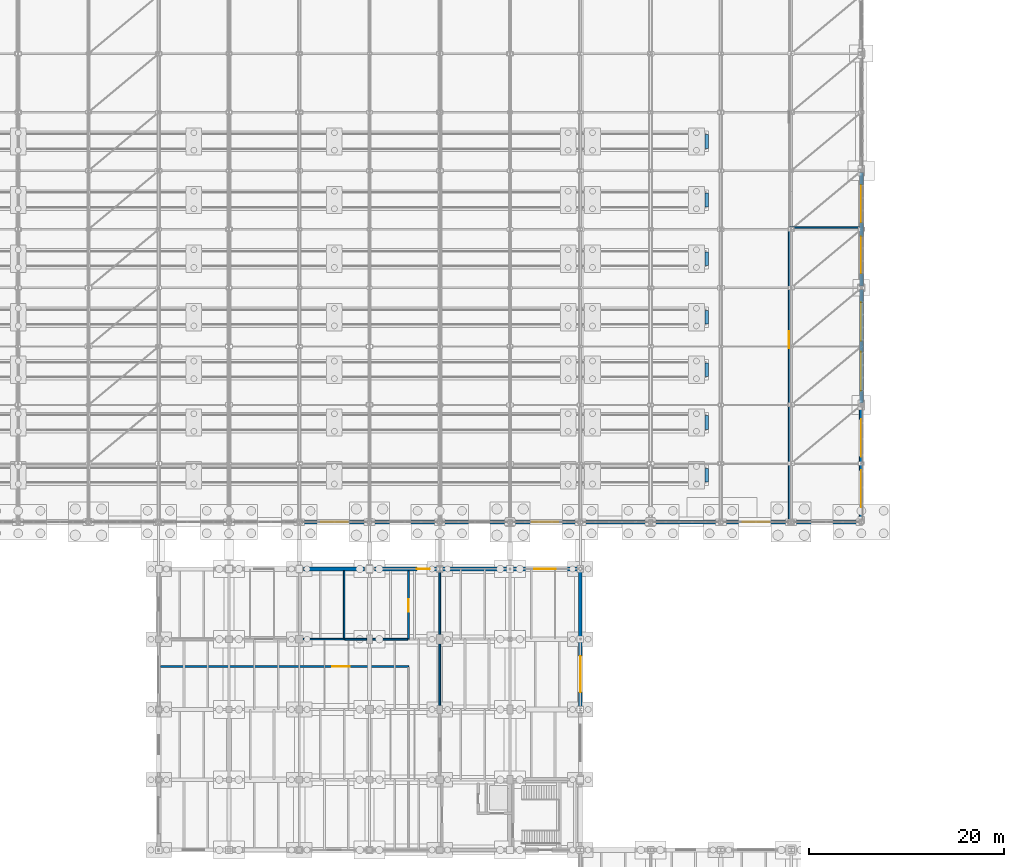
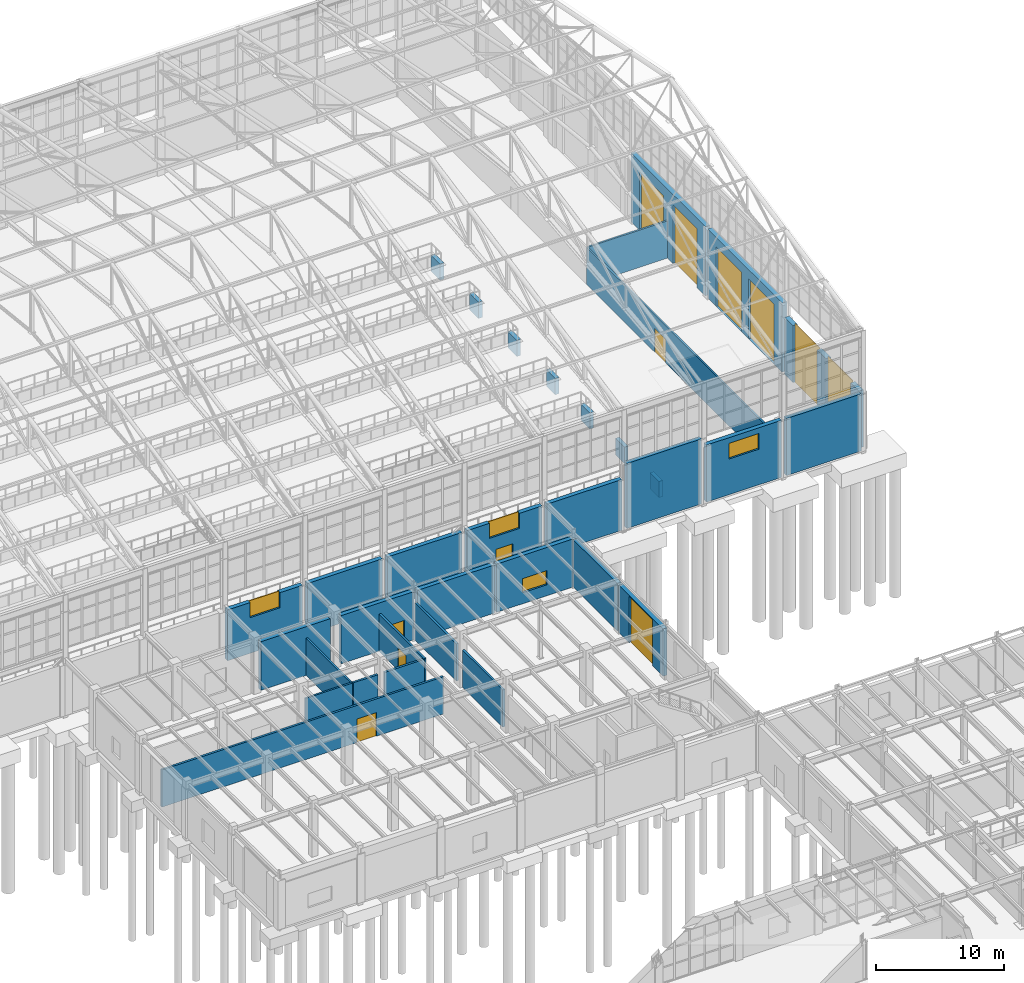
# One storey, part 274 of 293: 34 walls, 12 doors, 4 windows, 16 openings.
"""IFC4 building model written with IfcOpenShell, lengths in metres."""

from ifc_helpers import new_model, si_unit, direction, frame, frame_2d, origin, place, context, subcontext, project, spatial, rectangle, extrude, material, layer, layer_set, type_object, element, fill, save


model = new_model("IFC4")

# Units and contexts
model_context = context("Model", 3, precision=1e-05, world=origin(), true_north=direction((0.0, 1.0)))
body_context = subcontext(model_context, "Body", "Model", "MODEL_VIEW")
ifc_project = project(units=[si_unit("LENGTHUNIT", "METRE"), si_unit("AREAUNIT", "SQUARE_METRE"), si_unit("VOLUMEUNIT", "CUBIC_METRE"), si_unit("PLANEANGLEUNIT", "RADIAN"), si_unit("MASSUNIT", "GRAM", prefix="KILO")], contexts=[model_context])

# Site, building, storey
site_placement = place(None, origin())
site = spatial("IfcSite", under=ifc_project, at=site_placement, CompositionType="ELEMENT")
building_placement = place(site_placement, origin())
building = spatial("IfcBuilding", under=site, at=building_placement, Name="Kemerveld Promenade Tramway Depot", CompositionType="ELEMENT")
storey_placement = place(building_placement, origin())
storey = spatial("IfcBuildingStorey", under=building, at=storey_placement, Name="L00", CompositionType="ELEMENT", Elevation=0.0)

# Wall, opening, window
ifc_material_1 = material(Name="Harare granite ashlar and clay brick cavity masonry", Category="masonry")
ifc_layer_1 = layer(ifc_material_1, 0.3798828125)
ifc_layer_set_1 = layer_set([ifc_layer_1], Name="WL-EXT-380")
wall_type_1 = type_object("IfcWallType", Name="WL-EXT-380", PredefinedType="SOLIDWALL", material=ifc_layer_set_1)
wall_1_placement = place(storey_placement, frame((136.576904296875, 84.0, 0.0), z_axis=(0.0, 0.0, 1.0), x_axis=(-1.0, 0.0, 0.0)))
wall_1 = element("IfcWall", 1, at=wall_1_placement, inside=storey, type_object=wall_type_1, Name="WL-V1-S-14", PredefinedType="SOLIDWALL", context=body_context, shape_type="SweptSolid", body=[
    extrude(rectangle(XDim=6.753662109375, YDim=0.3798828125, at=frame_2d((3.376953125, 0.0))), origin(), (0.0, 0.0, 1.0), 4.843505859375),
])
opening_1_placement = place(wall_1_placement, frame((2.027099609375, 0.0, 3.39990234375)))
opening_1 = element("IfcOpeningElement", 2, at=opening_1_placement, cuts=wall_1, Name="Opening W-104", PredefinedType="OPENING", context=body_context, shape_type="SweptSolid", body=[
    extrude(rectangle(XDim=2.699951171875, YDim=1.5, at=frame_2d((1.35009765625, 0.75))), frame((0.0, 0.199951171875, 0.0), z_axis=(0.0, -1.0, 0.0), x_axis=(1.0, 0.0, 0.0)), (0.0, 0.0, 1.0), 0.39990234375),
])
ifc_material_2 = material(Name="Bronze anodised aluminium and low-e glass", Category="aluminium")
window_type_1 = type_object("IfcWindowType", Name="WN-17", PartitioningType="SINGLE_PANEL", PredefinedType="WINDOW", material=ifc_material_2)
window_1_placement = place(opening_1_placement, origin())
window_1 = element("IfcWindow", 3, at=window_1_placement, inside=storey, type_object=window_type_1, Name="WN-V1-S-104", OverallHeight=1.5, OverallWidth=2.699951171875, PartitioningType="SINGLE_PANEL", PredefinedType="WINDOW", context=body_context, shape_type="SweptSolid", body=[
    extrude(rectangle(XDim=2.699951171875, YDim=1.5, at=frame_2d((1.35009765625, 0.75))), frame((0.0, 0.030029296875, 0.0), z_axis=(0.0, -1.0, 0.0), x_axis=(1.0, 0.0, 0.0)), (0.0, 0.0, 1.0), 0.06005859375),
])
fill(opening_1, window_1)

# Walls
for number, where, z_axis, x_axis, name in (
    (4, (143.77685546875, 84.0, 0.0), (0.0, 0.0, 1.0), (-1.0, 0.0, 0.0), "WL-V1-S-15"),
    (5, (150.976806640625, 84.0, 0.0), (0.0, 0.0, 1.0), (-1.0, 0.0, 0.0), "WL-V1-S-16"),
):
    element("IfcWall", number, at=place(storey_placement, frame(where, z_axis=z_axis, x_axis=x_axis)), inside=storey, type_object=wall_type_1, Name=name, PredefinedType="SOLIDWALL", context=body_context, shape_type="SweptSolid", body=[
        extrude(rectangle(XDim=6.753662109375, YDim=0.3798828125, at=frame_2d((3.376953125, 0.0))), origin(), (0.0, 0.0, 1.0), 4.843505859375),
    ])

# Wall, openings, door, window
wall_2_placement = place(storey_placement, frame((158.1767578125, 84.0, 0.0), z_axis=(0.0, 0.0, 1.0), x_axis=(-1.0, 0.0, 0.0)))
wall_2 = element("IfcWall", 6, at=wall_2_placement, inside=storey, type_object=wall_type_1, Name="WL-V1-S-17", PredefinedType="SOLIDWALL", context=body_context, shape_type="SweptSolid", body=[
    extrude(rectangle(XDim=6.753662109375, YDim=0.3798828125, at=frame_2d((3.376953125, 0.0))), origin(), (0.0, 0.0, 1.0), 4.843505859375),
])
opening_2_placement = place(wall_2_placement, frame((2.626953125, 0.0, 0.0)))
opening_2 = element("IfcOpeningElement", 7, at=opening_2_placement, cuts=wall_2, Name="Opening D-102", PredefinedType="OPENING", context=body_context, shape_type="SweptSolid", body=[
    extrude(rectangle(XDim=1.5, YDim=2.14990234375, at=frame_2d((0.75, 1.074951171875))), frame((0.0, 0.199951171875, 0.0), z_axis=(0.0, -1.0, 0.0), x_axis=(1.0, 0.0, 0.0)), (0.0, 0.0, 1.0), 0.39990234375),
])
opening_3_placement = place(wall_2_placement, frame((2.027099609375, 0.0, 3.39990234375)))
opening_3 = element("IfcOpeningElement", 8, at=opening_3_placement, cuts=wall_2, Name="Opening W-105", PredefinedType="OPENING", context=body_context, shape_type="SweptSolid", body=[
    extrude(rectangle(XDim=2.699951171875, YDim=1.5, at=frame_2d((1.35009765625, 0.75))), frame((0.0, 0.199951171875, 0.0), z_axis=(0.0, -1.0, 0.0), x_axis=(1.0, 0.0, 0.0)), (0.0, 0.0, 1.0), 0.39990234375),
])
ifc_material_3 = material(Name="Galvanised painted steel fire-exit door", Category="steel")
door_type_1 = type_object("IfcDoorType", Name="DR-EX04", OperationType="NOTDEFINED", PredefinedType="DOOR", material=ifc_material_3)
door_1_placement = place(opening_2_placement, origin())
door_1 = element("IfcDoor", 9, at=door_1_placement, inside=storey, type_object=door_type_1, Name="EX-SHED-17", OperationType="SINGLE_SWING_LEFT", OverallHeight=2.14990234375, OverallWidth=1.5, PredefinedType="DOOR", context=body_context, shape_type="SweptSolid", body=[
    extrude(rectangle(XDim=1.5, YDim=2.14990234375, at=frame_2d((0.75, 1.074951171875))), frame((0.0, 0.02490234375, 0.0), z_axis=(0.0, -1.0, 0.0), x_axis=(1.0, 0.0, 0.0)), (0.0, 0.0, 1.0), 0.050048828125),
])
fill(opening_2, door_1)
window_2_placement = place(opening_3_placement, origin())
window_2 = element("IfcWindow", 10, at=window_2_placement, inside=storey, type_object=window_type_1, Name="WN-V1-S-105", OverallHeight=1.5, OverallWidth=2.699951171875, PartitioningType="SINGLE_PANEL", PredefinedType="WINDOW", context=body_context, shape_type="SweptSolid", body=[
    extrude(rectangle(XDim=2.699951171875, YDim=1.5, at=frame_2d((1.35009765625, 0.75))), frame((0.0, 0.030029296875, 0.0), z_axis=(0.0, -1.0, 0.0), x_axis=(1.0, 0.0, 0.0)), (0.0, 0.0, 1.0), 0.06005859375),
])
fill(opening_3, window_2)

# Walls
wall_3_placement = place(storey_placement, frame((165.376708984375, 84.0, 0.0), z_axis=(0.0, 0.0, 1.0), x_axis=(-1.0, 0.0, 0.0)))
element("IfcWall", 11, at=wall_3_placement, inside=storey, type_object=wall_type_1, Name="WL-V1-S-18", PredefinedType="SOLIDWALL", context=body_context, shape_type="SweptSolid", body=[
    extrude(rectangle(XDim=6.75341796875, YDim=0.3798828125, at=frame_2d((3.376708984375, 0.0))), origin(), (0.0, 0.0, 1.0), 4.843505859375),
])
wall_4_placement = place(storey_placement, frame((172.576904296875, 84.0, 0.0), z_axis=(0.0, 0.0, 1.0), x_axis=(-1.0, 0.0, 0.0)))
element("IfcWall", 12, at=wall_4_placement, inside=storey, type_object=wall_type_1, Name="WL-V1-S-19", PredefinedType="SOLIDWALL", context=body_context, shape_type="SweptSolid", body=[
    extrude(rectangle(XDim=6.753662109375, YDim=0.3798828125, at=frame_2d((3.376953125, 0.0))), origin(), (0.0, 0.0, 1.0), 6.199951171875),
])

# Wall, opening, window
wall_5_placement = place(storey_placement, frame((179.77685546875, 84.0, 0.0), z_axis=(0.0, 0.0, 1.0), x_axis=(-1.0, 0.0, 0.0)))
wall_5 = element("IfcWall", 13, at=wall_5_placement, inside=storey, type_object=wall_type_1, Name="WL-V1-S-20", PredefinedType="SOLIDWALL", context=body_context, shape_type="SweptSolid", body=[
    extrude(rectangle(XDim=6.753662109375, YDim=0.3798828125, at=frame_2d((3.376953125, 0.0))), origin(), (0.0, 0.0, 1.0), 5.443359375),
])
opening_4_placement = place(wall_5_placement, frame((2.027099609375, 0.0, 3.39990234375)))
opening_4 = element("IfcOpeningElement", 14, at=opening_4_placement, cuts=wall_5, Name="Opening W-106", PredefinedType="OPENING", context=body_context, shape_type="SweptSolid", body=[
    extrude(rectangle(XDim=2.699951171875, YDim=1.5, at=frame_2d((1.35009765625, 0.75))), frame((0.0, 0.199951171875, 0.0), z_axis=(0.0, -1.0, 0.0), x_axis=(1.0, 0.0, 0.0)), (0.0, 0.0, 1.0), 0.39990234375),
])
window_3_placement = place(opening_4_placement, origin())
window_3 = element("IfcWindow", 15, at=window_3_placement, inside=storey, type_object=window_type_1, Name="WN-V1-S-106", OverallHeight=1.5, OverallWidth=2.699951171875, PartitioningType="SINGLE_PANEL", PredefinedType="WINDOW", context=body_context, shape_type="SweptSolid", body=[
    extrude(rectangle(XDim=2.699951171875, YDim=1.5, at=frame_2d((1.35009765625, 0.75))), frame((0.0, 0.030029296875, 0.0), z_axis=(0.0, -1.0, 0.0), x_axis=(1.0, 0.0, 0.0)), (0.0, 0.0, 1.0), 0.06005859375),
])
fill(opening_4, window_3)

# Walls
wall_6_placement = place(storey_placement, frame((186.976806640625, 84.0, 0.0), z_axis=(0.0, 0.0, 1.0), x_axis=(-1.0, 0.0, 0.0)))
element("IfcWall", 16, at=wall_6_placement, inside=storey, type_object=wall_type_1, Name="WL-V1-S-21", PredefinedType="SOLIDWALL", context=body_context, shape_type="SweptSolid", body=[
    extrude(rectangle(XDim=6.753662109375, YDim=0.3798828125, at=frame_2d((3.376953125, 0.0))), origin(), (0.0, 0.0, 1.0), 5.443359375),
])
wall_7_placement = place(storey_placement, frame((130.044921875, 79.199951171875, 0.0), z_axis=(0.0, 0.0, 1.0), x_axis=(1.0, 0.0, 0.0)))
element("IfcWall", 17, at=wall_7_placement, inside=storey, type_object=wall_type_1, Name="WL-L00-V3N-03", PredefinedType="SOLIDWALL", context=body_context, shape_type="SweptSolid", body=[
    extrude(rectangle(XDim=6.260009765625, YDim=0.3798828125, at=frame_2d((3.1298828125, 0.0))), origin(), (0.0, 0.0, 1.0), 4.64990234375),
])

# Wall, opening, door
wall_8_placement = place(storey_placement, frame((137.294921875, 79.199951171875, 0.0), z_axis=(0.0, 0.0, 1.0), x_axis=(1.0, 0.0, 0.0)))
wall_8 = element("IfcWall", 18, at=wall_8_placement, inside=storey, type_object=wall_type_1, Name="WL-L00-V3N-04", PredefinedType="SOLIDWALL", context=body_context, shape_type="SweptSolid", body=[
    extrude(rectangle(XDim=6.546875, YDim=0.3798828125, at=frame_2d((3.2734375, 0.0))), origin(), (0.0, 0.0, 1.0), 4.60009765625),
])
opening_5_placement = place(wall_8_placement, frame((4.35009765625, 0.0, 0.0)))
opening_5 = element("IfcOpeningElement", 19, at=opening_5_placement, cuts=wall_8, Name="Opening D-134", PredefinedType="OPENING", context=body_context, shape_type="SweptSolid", body=[
    extrude(rectangle(XDim=1.35009765625, YDim=2.14990234375, at=frame_2d((0.675048828125, 1.074951171875))), frame((0.0, 0.199951171875, 0.0), z_axis=(0.0, -1.0, 0.0), x_axis=(1.0, 0.0, 0.0)), (0.0, 0.0, 1.0), 0.39990234375),
])
door_type_2 = type_object("IfcDoorType", Name="DR-EX05", OperationType="NOTDEFINED", PredefinedType="DOOR", material=ifc_material_3)
door_2_placement = place(opening_5_placement, origin())
door_2 = element("IfcDoor", 20, at=door_2_placement, inside=storey, type_object=door_type_2, Name="EX-13", OperationType="SINGLE_SWING_RIGHT", OverallHeight=2.14990234375, OverallWidth=1.35009765625, PredefinedType="DOOR", context=body_context, shape_type="SweptSolid", body=[
    extrude(rectangle(XDim=1.35009765625, YDim=2.14990234375, at=frame_2d((0.675048828125, 1.074951171875))), frame((0.0, 0.02490234375, 0.0), z_axis=(0.0, -1.0, 0.0), x_axis=(1.0, 0.0, 0.0)), (0.0, 0.0, 1.0), 0.050048828125),
])
fill(opening_5, door_2)

# Wall
wall_9_placement = place(storey_placement, frame((144.158203125, 79.199951171875, 0.0), z_axis=(0.0, 0.0, 1.0), x_axis=(1.0, 0.0, 0.0)))
element("IfcWall", 21, at=wall_9_placement, inside=storey, type_object=wall_type_1, Name="WL-L00-V3N-05", PredefinedType="SOLIDWALL", context=body_context, shape_type="SweptSolid", body=[
    extrude(rectangle(XDim=6.94091796875, YDim=0.3798828125, at=frame_2d((3.470458984375, 0.0))), origin(), (0.0, 0.0, 1.0), 4.60009765625),
])

# Wall, opening, window
wall_10_placement = place(storey_placement, frame((151.30078125, 79.199951171875, 0.0), z_axis=(0.0, 0.0, 1.0), x_axis=(1.0, 0.0, 0.0)))
wall_10 = element("IfcWall", 22, at=wall_10_placement, inside=storey, type_object=wall_type_1, Name="WL-L00-V3N-06", PredefinedType="SOLIDWALL", context=body_context, shape_type="SweptSolid", body=[
    extrude(rectangle(XDim=6.917236328125, YDim=0.3798828125, at=frame_2d((3.45849609375, 0.0))), origin(), (0.0, 0.0, 1.0), 4.60009765625),
])
opening_6_placement = place(wall_10_placement, frame((2.35888671875, 0.0, 1.050048828125)))
opening_6 = element("IfcOpeningElement", 23, at=opening_6_placement, cuts=wall_10, Name="Opening W-124", PredefinedType="OPENING", context=body_context, shape_type="SweptSolid", body=[
    extrude(rectangle(XDim=2.199951171875, YDim=1.35009765625, at=frame_2d((1.10009765625, 0.675048828125))), frame((0.0, 0.199951171875, 0.0), z_axis=(0.0, -1.0, 0.0), x_axis=(1.0, 0.0, 0.0)), (0.0, 0.0, 1.0), 0.39990234375),
])
window_type_2 = type_object("IfcWindowType", Name="WN-35", PartitioningType="SINGLE_PANEL", PredefinedType="WINDOW", material=ifc_material_2)
window_4_placement = place(opening_6_placement, origin())
window_4 = element("IfcWindow", 24, at=window_4_placement, inside=storey, type_object=window_type_2, Name="WN-L00-V3N-06", OverallHeight=1.35009765625, OverallWidth=2.199951171875, PartitioningType="SINGLE_PANEL", PredefinedType="WINDOW", context=body_context, shape_type="SweptSolid", body=[
    extrude(rectangle(XDim=2.199951171875, YDim=1.35009765625, at=frame_2d((1.10009765625, 0.675048828125))), frame((0.0, 0.030029296875, 0.0), z_axis=(0.0, -1.0, 0.0), x_axis=(1.0, 0.0, 0.0)), (0.0, 0.0, 1.0), 0.06005859375),
])
fill(opening_6, window_4)

# Wall
wall_11_placement = place(storey_placement, frame((158.39990234375, 79.01806640625, 0.0), z_axis=(0.0, 0.0, 1.0), x_axis=(0.0, -1.0, 0.0)))
element("IfcWall", 25, at=wall_11_placement, inside=storey, type_object=wall_type_1, Name="WL-L00-V3E-01", PredefinedType="SOLIDWALL", context=body_context, shape_type="SweptSolid", body=[
    extrude(rectangle(XDim=6.917236328125, YDim=0.3798828125, at=frame_2d((3.45849609375, 0.0))), origin(), (0.0, 0.0, 1.0), 4.5234375),
])

# Wall, opening, door
wall_12_placement = place(storey_placement, frame((158.39990234375, 71.899169921875, 0.0), z_axis=(0.0, 0.0, 1.0), x_axis=(0.0, -1.0, 0.0)))
wall_12 = element("IfcWall", 26, at=wall_12_placement, inside=storey, type_object=wall_type_1, Name="WL-L00-V3E-02", PredefinedType="SOLIDWALL", context=body_context, shape_type="SweptSolid", body=[
    extrude(rectangle(XDim=6.94091796875, YDim=0.3798828125, at=frame_2d((3.470458984375, 0.0))), origin(), (0.0, 0.0, 1.0), 4.5234375),
])
opening_7_placement = place(wall_12_placement, frame((1.6201171875, 0.0, 0.0)))
opening_7 = element("IfcOpeningElement", 27, at=opening_7_placement, cuts=wall_12, Name="Opening D-138", PredefinedType="OPENING", context=body_context, shape_type="SweptSolid", body=[
    extrude(rectangle(XDim=3.699951171875, YDim=4.39990234375, at=frame_2d((1.85009765625, 2.199951171875))), frame((0.0, 0.199951171875, 0.0), z_axis=(0.0, -1.0, 0.0), x_axis=(1.0, 0.0, 0.0)), (0.0, 0.0, 1.0), 0.39990234375),
])
ifc_material_4 = material(Name="Corrosion-resistant aluminium high-speed wash shutter", Category="aluminium")
door_type_3 = type_object("IfcDoorType", Name="GT-WASH1", OperationType="ROLLINGUP", PredefinedType="GATE", material=ifc_material_4)
door_3_placement = place(opening_7_placement, origin())
door_3 = element("IfcDoor", 28, at=door_3_placement, inside=storey, type_object=door_type_3, Name="GT-WASH-E2", OperationType="ROLLINGUP", OverallHeight=4.39990234375, OverallWidth=3.699951171875, PredefinedType="GATE", context=body_context, shape_type="SweptSolid", body=[
    extrude(rectangle(XDim=3.699951171875, YDim=4.39990234375, at=frame_2d((1.85009765625, 2.199951171875))), frame((0.0, 0.02490234375, 0.0), z_axis=(0.0, -1.0, 0.0), x_axis=(1.0, 0.0, 0.0)), (0.0, 0.0, 1.0), 0.050048828125),
])
fill(opening_7, door_3)

# Wall, openings, doors
ifc_layer_2 = layer(ifc_material_1, 0.419921875)
ifc_layer_set_2 = layer_set([ifc_layer_2], Name="WL-EXT-420")
wall_type_2 = type_object("IfcWallType", Name="WL-EXT-420", PredefinedType="SOLIDWALL", material=ifc_layer_set_2)
wall_13_placement = place(storey_placement, frame((187.199951171875, 95.81640625, 0.0), z_axis=(0.0, 0.0, 1.0), x_axis=(0.0, -1.0, 0.0)))
wall_13 = element("IfcWall", 29, at=wall_13_placement, inside=storey, type_object=wall_type_2, Name="WL-V1-E-01", PredefinedType="SOLIDWALL", context=body_context, shape_type="SweptSolid", body=[
    extrude(rectangle(XDim=11.59326171875, YDim=0.419921875, at=frame_2d((5.796630859375, 0.0))), origin(), (0.0, 0.0, 1.0), 5.443359375),
])
opening_8_placement = place(wall_13_placement, frame((1.300048828125, 0.0, 0.0)))
opening_8 = element("IfcOpeningElement", 30, at=opening_8_placement, cuts=wall_13, Name="Opening G-105", PredefinedType="OPENING", context=body_context, shape_type="SweptSolid", body=[
    extrude(rectangle(XDim=3.800048828125, YDim=5.60009765625, at=frame_2d((1.89990234375, 2.800048828125))), frame((0.0, 0.219970703125, 0.0), z_axis=(0.0, -1.0, 0.0), x_axis=(1.0, 0.0, 0.0)), (0.0, 0.0, 1.0), 0.43994140625),
])
opening_9_placement = place(wall_13_placement, frame((6.492919921875, 0.0, 0.0)))
opening_9 = element("IfcOpeningElement", 31, at=opening_9_placement, cuts=wall_13, Name="Opening G-106", PredefinedType="OPENING", context=body_context, shape_type="SweptSolid", body=[
    extrude(rectangle(XDim=3.800048828125, YDim=5.60009765625, at=frame_2d((1.89990234375, 2.800048828125))), frame((0.0, 0.219970703125, 0.0), z_axis=(0.0, -1.0, 0.0), x_axis=(1.0, 0.0, 0.0)), (0.0, 0.0, 1.0), 0.43994140625),
])
ifc_material_5 = material(Name="Insulated powder-coated steel bi-folding tram gate", Category="steel")
door_type_4 = type_object("IfcDoorType", Name="GT-TRAM1", OperationType="FOLDING_TO_LEFT", PredefinedType="GATE", material=ifc_material_5)
door_4_placement = place(opening_8_placement, origin())
door_4 = element("IfcDoor", 32, at=door_4_placement, inside=storey, type_object=door_type_4, Name="GT-V1-E-1-1", OperationType="FOLDING_TO_LEFT", OverallHeight=5.60009765625, OverallWidth=3.800048828125, PredefinedType="GATE", context=body_context, shape_type="SweptSolid", body=[
    extrude(rectangle(XDim=3.800048828125, YDim=5.60009765625, at=frame_2d((1.89990234375, 2.800048828125))), frame((0.0, 0.02490234375, 0.0), z_axis=(0.0, -1.0, 0.0), x_axis=(1.0, 0.0, 0.0)), (0.0, 0.0, 1.0), 0.050048828125),
])
fill(opening_8, door_4)
door_5_placement = place(opening_9_placement, origin())
door_5 = element("IfcDoor", 33, at=door_5_placement, inside=storey, type_object=door_type_4, Name="GT-V1-E-1-2", OperationType="FOLDING_TO_LEFT", OverallHeight=5.60009765625, OverallWidth=3.800048828125, PredefinedType="GATE", context=body_context, shape_type="SweptSolid", body=[
    extrude(rectangle(XDim=3.800048828125, YDim=5.60009765625, at=frame_2d((1.89990234375, 2.800048828125))), frame((0.0, 0.02490234375, 0.0), z_axis=(0.0, -1.0, 0.0), x_axis=(1.0, 0.0, 0.0)), (0.0, 0.0, 1.0), 0.050048828125),
])
fill(opening_9, door_5)

wall_14_placement = place(storey_placement, frame((187.199951171875, 107.81640625, 0.0), z_axis=(0.0, 0.0, 1.0), x_axis=(0.0, -1.0, 0.0)))
wall_14 = element("IfcWall", 34, at=wall_14_placement, inside=storey, type_object=wall_type_2, Name="WL-V1-E-02", PredefinedType="SOLIDWALL", context=body_context, shape_type="SweptSolid", body=[
    extrude(rectangle(XDim=11.6328125, YDim=0.419921875, at=frame_2d((5.81640625, 0.0))), origin(), (0.0, 0.0, 1.0), 6.60009765625),
])
opening_10_placement = place(wall_14_placement, frame((1.300048828125, 0.0, 0.0)))
opening_10 = element("IfcOpeningElement", 35, at=opening_10_placement, cuts=wall_14, Name="Opening G-109", PredefinedType="OPENING", context=body_context, shape_type="SweptSolid", body=[
    extrude(rectangle(XDim=3.949951171875, YDim=5.699951171875, at=frame_2d((1.97509765625, 2.85009765625))), frame((0.0, 0.219970703125, 0.0), z_axis=(0.0, -1.0, 0.0), x_axis=(1.0, 0.0, 0.0)), (0.0, 0.0, 1.0), 0.43994140625),
])
opening_11_placement = place(wall_14_placement, frame((6.383056640625, 0.0, 0.0)))
opening_11 = element("IfcOpeningElement", 36, at=opening_11_placement, cuts=wall_14, Name="Opening G-110", PredefinedType="OPENING", context=body_context, shape_type="SweptSolid", body=[
    extrude(rectangle(XDim=3.949951171875, YDim=5.699951171875, at=frame_2d((1.97509765625, 2.85009765625))), frame((0.0, 0.219970703125, 0.0), z_axis=(0.0, -1.0, 0.0), x_axis=(1.0, 0.0, 0.0)), (0.0, 0.0, 1.0), 0.43994140625),
])
door_type_5 = type_object("IfcDoorType", Name="GT-TRAM2", OperationType="FOLDING_TO_LEFT", PredefinedType="GATE", material=ifc_material_5)
door_6_placement = place(opening_10_placement, origin())
door_6 = element("IfcDoor", 37, at=door_6_placement, inside=storey, type_object=door_type_5, Name="GT-V1-E-2-1", OperationType="FOLDING_TO_LEFT", OverallHeight=5.699951171875, OverallWidth=3.949951171875, PredefinedType="GATE", context=body_context, shape_type="SweptSolid", body=[
    extrude(rectangle(XDim=3.949951171875, YDim=5.699951171875, at=frame_2d((1.97509765625, 2.85009765625))), frame((0.0, 0.02490234375, 0.0), z_axis=(0.0, -1.0, 0.0), x_axis=(1.0, 0.0, 0.0)), (0.0, 0.0, 1.0), 0.050048828125),
])
fill(opening_10, door_6)
door_7_placement = place(opening_11_placement, origin())
door_7 = element("IfcDoor", 38, at=door_7_placement, inside=storey, type_object=door_type_5, Name="GT-V1-E-2-2", OperationType="FOLDING_TO_LEFT", OverallHeight=5.699951171875, OverallWidth=3.949951171875, PredefinedType="GATE", context=body_context, shape_type="SweptSolid", body=[
    extrude(rectangle(XDim=3.949951171875, YDim=5.699951171875, at=frame_2d((1.97509765625, 2.85009765625))), frame((0.0, 0.02490234375, 0.0), z_axis=(0.0, -1.0, 0.0), x_axis=(1.0, 0.0, 0.0)), (0.0, 0.0, 1.0), 0.050048828125),
])
fill(opening_11, door_7)

wall_15_placement = place(storey_placement, frame((187.199951171875, 119.81640625, 0.0), z_axis=(0.0, 0.0, 1.0), x_axis=(0.0, -1.0, 0.0)))
wall_15 = element("IfcWall", 39, at=wall_15_placement, inside=storey, type_object=wall_type_2, Name="WL-V1-E-03", PredefinedType="SOLIDWALL", context=body_context, shape_type="SweptSolid", body=[
    extrude(rectangle(XDim=11.6328125, YDim=0.419921875, at=frame_2d((5.81640625, 0.0))), origin(), (0.0, 0.0, 1.0), 6.60009765625),
])
opening_12_placement = place(wall_15_placement, frame((1.300048828125, 0.0, 0.0)))
opening_12 = element("IfcOpeningElement", 40, at=opening_12_placement, cuts=wall_15, Name="Opening G-113", PredefinedType="OPENING", context=body_context, shape_type="SweptSolid", body=[
    extrude(rectangle(XDim=3.800048828125, YDim=5.60009765625, at=frame_2d((1.89990234375, 2.800048828125))), frame((0.0, 0.219970703125, 0.0), z_axis=(0.0, -1.0, 0.0), x_axis=(1.0, 0.0, 0.0)), (0.0, 0.0, 1.0), 0.43994140625),
])
opening_13_placement = place(wall_15_placement, frame((6.532958984375, 0.0, 0.0)))
opening_13 = element("IfcOpeningElement", 41, at=opening_13_placement, cuts=wall_15, Name="Opening G-114", PredefinedType="OPENING", context=body_context, shape_type="SweptSolid", body=[
    extrude(rectangle(XDim=3.800048828125, YDim=5.60009765625, at=frame_2d((1.89990234375, 2.800048828125))), frame((0.0, 0.219970703125, 0.0), z_axis=(0.0, -1.0, 0.0), x_axis=(1.0, 0.0, 0.0)), (0.0, 0.0, 1.0), 0.43994140625),
])
door_8_placement = place(opening_12_placement, origin())
door_8 = element("IfcDoor", 42, at=door_8_placement, inside=storey, type_object=door_type_4, Name="GT-V1-E-3-1", OperationType="FOLDING_TO_LEFT", OverallHeight=5.60009765625, OverallWidth=3.800048828125, PredefinedType="GATE", context=body_context, shape_type="SweptSolid", body=[
    extrude(rectangle(XDim=3.800048828125, YDim=5.60009765625, at=frame_2d((1.89990234375, 2.800048828125))), frame((0.0, 0.02490234375, 0.0), z_axis=(0.0, -1.0, 0.0), x_axis=(1.0, 0.0, 0.0)), (0.0, 0.0, 1.0), 0.050048828125),
])
fill(opening_12, door_8)
door_9_placement = place(opening_13_placement, origin())
door_9 = element("IfcDoor", 43, at=door_9_placement, inside=storey, type_object=door_type_4, Name="GT-V1-E-3-2", OperationType="FOLDING_TO_LEFT", OverallHeight=5.60009765625, OverallWidth=3.800048828125, PredefinedType="GATE", context=body_context, shape_type="SweptSolid", body=[
    extrude(rectangle(XDim=3.800048828125, YDim=5.60009765625, at=frame_2d((1.89990234375, 2.800048828125))), frame((0.0, 0.02490234375, 0.0), z_axis=(0.0, -1.0, 0.0), x_axis=(1.0, 0.0, 0.0)), (0.0, 0.0, 1.0), 0.050048828125),
])
fill(opening_13, door_9)

# Walls
ifc_material_6 = material(Name="Concrete C40/50", Category="concrete")
ifc_layer_3 = layer(ifc_material_6, 0.35009765625)
ifc_layer_set_3 = layer_set([ifc_layer_3], Name="WL-PIT350")
wall_type_3 = type_object("IfcWallType", Name="WL-PIT350", PredefinedType="USERDEFINED", material=ifc_layer_set_3)
for number, where, z_axis, x_axis, name in (
    (44, (171.375, 88.10009765625, -1.550048828125), (0.0, 0.0, 1.0), (0.0, 1.0, 0.0), "WL-PIT-01-E"),
    (45, (171.375, 93.5, -1.550048828125), (0.0, 0.0, 1.0), (0.0, 1.0, 0.0), "WL-PIT-02-E"),
):
    element("IfcWall", number, at=place(storey_placement, frame(where, z_axis=z_axis, x_axis=x_axis)), inside=storey, type_object=wall_type_3, Name=name, ObjectType="RETAINING_WALL", PredefinedType="USERDEFINED", context=body_context, shape_type="SweptSolid", body=[
        extrude(rectangle(XDim=1.39990234375, YDim=0.35009765625, at=frame_2d((0.699951171875, 0.0))), origin(), (0.0, 0.0, 1.0), 1.550048828125),
    ])
wall_16_placement = place(storey_placement, frame((171.375, 98.89990234375, -1.550048828125), z_axis=(0.0, 0.0, 1.0), x_axis=(0.0, 1.0, 0.0)))
element("IfcWall", 46, at=wall_16_placement, inside=storey, type_object=wall_type_3, Name="WL-PIT-03-E", ObjectType="RETAINING_WALL", PredefinedType="USERDEFINED", context=body_context, shape_type="SweptSolid", body=[
    extrude(rectangle(XDim=1.400146484375, YDim=0.35009765625, at=frame_2d((0.7001953125, 0.0))), origin(), (0.0, 0.0, 1.0), 1.550048828125),
])
for number, where, z_axis, x_axis, name in (
    (47, (171.375, 104.300048828125, -1.550048828125), (0.0, 0.0, 1.0), (0.0, 1.0, 0.0), "WL-PIT-04-E"),
    (48, (171.375, 110.300048828125, -1.550048828125), (0.0, 0.0, 1.0), (0.0, 1.0, 0.0), "WL-PIT-05-E"),
    (49, (171.375, 116.300048828125, -1.550048828125), (0.0, 0.0, 1.0), (0.0, 1.0, 0.0), "WL-PIT-06-E"),
    (50, (171.375, 122.300048828125, -1.550048828125), (0.0, 0.0, 1.0), (0.0, 1.0, 0.0), "WL-PIT-07-E"),
):
    element("IfcWall", number, at=place(storey_placement, frame(where, z_axis=z_axis, x_axis=x_axis)), inside=storey, type_object=wall_type_3, Name=name, ObjectType="RETAINING_WALL", PredefinedType="USERDEFINED", context=body_context, shape_type="SweptSolid", body=[
        extrude(rectangle(XDim=1.39990234375, YDim=0.35009765625, at=frame_2d((0.699951171875, 0.0))), origin(), (0.0, 0.0, 1.0), 1.550048828125),
    ])

# Wall, opening, door
ifc_material_7 = material(Name="Fire-rated gypsum stud partition")
ifc_layer_4 = layer(ifc_material_7, 0.14501953125)
ifc_layer_set_4 = layer_set([ifc_layer_4], Name="WL-PRT-145")
wall_type_4 = type_object("IfcWallType", Name="WL-PRT-145", PredefinedType="PARTITIONING", material=ifc_layer_set_4)
wall_17_placement = place(storey_placement, frame((179.800048828125, 84.205078125, 0.0), z_axis=(0.0, 0.0, 1.0), x_axis=(0.0, 1.0, 0.0)))
wall_17 = element("IfcWall", 51, at=wall_17_placement, inside=storey, type_object=wall_type_4, Name="WL-PRT-RM-L00-V1-SAND", PredefinedType="PARTITIONING", context=body_context, shape_type="SweptSolid", body=[
    extrude(rectangle(XDim=29.994873046875, YDim=0.14501953125, at=frame_2d((14.99755859375, 0.0))), origin(), (0.0, 0.0, 1.0), 3.550048828125),
])
opening_14_placement = place(wall_17_placement, frame((17.60888671875, 0.0, 0.0)))
opening_14 = element("IfcOpeningElement", 52, at=opening_14_placement, cuts=wall_17, Name="Opening D-589", PredefinedType="OPENING", context=body_context, shape_type="SweptSolid", body=[
    extrude(rectangle(XDim=1.75, YDim=2.25, at=frame_2d((0.875, 1.125))), frame((0.0, 0.08251953125, 0.0), z_axis=(0.0, -1.0, 0.0), x_axis=(1.0, 0.0, 0.0)), (0.0, 0.0, 1.0), 0.1650390625),
])
ifc_material_8 = material(Name="Double workshop equipment door")
door_type_6 = type_object("IfcDoorType", Name="DR-INT06", OperationType="DOUBLE_SWING_LEFT", PredefinedType="DOOR", material=ifc_material_8)
door_10_placement = place(opening_14_placement, origin())
door_10 = element("IfcDoor", 53, at=door_10_placement, inside=storey, type_object=door_type_6, Name="DR-RM-RM-L00-V1-SAND", OperationType="DOUBLE_SWING_LEFT", OverallHeight=2.25, OverallWidth=1.75, PredefinedType="DOOR", context=body_context, shape_type="SweptSolid", body=[
    extrude(rectangle(XDim=1.75, YDim=2.25, at=frame_2d((0.875, 1.125))), frame((0.0, 0.02490234375, 0.0), z_axis=(0.0, -1.0, 0.0), x_axis=(1.0, 0.0, 0.0)), (0.0, 0.0, 1.0), 0.050048828125),
])
fill(opening_14, door_10)

# Walls
ifc_material_9 = material(Name="Acoustic twin-stud gypsum partition")
ifc_layer_5 = layer(ifc_material_9, 0.159912109375)
ifc_layer_set_5 = layer_set([ifc_layer_5], Name="WL-PRT-160")
wall_type_5 = type_object("IfcWallType", Name="WL-PRT-160", PredefinedType="PARTITIONING", material=ifc_layer_set_5)
wall_18_placement = place(storey_placement, frame((130.001953125, 72.0, 0.0), z_axis=(0.0, 0.0, 1.0), x_axis=(1.0, 0.0, 0.0)))
element("IfcWall", 54, at=wall_18_placement, inside=storey, type_object=wall_type_5, Name="WL-PRT-RM-L00-V3-RECL-S3", PredefinedType="PARTITIONING", context=body_context, shape_type="SweptSolid", body=[
    extrude(rectangle(XDim=4.197998046875, YDim=0.159912109375, at=frame_2d((2.09912109375, 0.0))), origin(), (0.0, 0.0, 1.0), 3.550048828125),
])
wall_19_placement = place(storey_placement, frame((179.873046875, 114.199951171875, 0.0), z_axis=(0.0, 0.0, 1.0), x_axis=(1.0, 0.0, 0.0)))
element("IfcWall", 55, at=wall_19_placement, inside=storey, type_object=wall_type_5, Name="WL-DIV-L00-001", PredefinedType="PARTITIONING", context=body_context, shape_type="SweptSolid", body=[
    extrude(rectangle(XDim=7.116943359375, YDim=0.159912109375, at=frame_2d((3.55859375, 0.0))), origin(), (0.0, 0.0, 1.0), 3.550048828125),
])
wall_20_placement = place(storey_placement, frame((134.199951171875, 72.080078125, 0.0), z_axis=(0.0, 0.0, 1.0), x_axis=(0.0, 1.0, 0.0)))
element("IfcWall", 56, at=wall_20_placement, inside=storey, type_object=wall_type_5, Name="WL-DIV-L00-017", PredefinedType="PARTITIONING", context=body_context, shape_type="SweptSolid", body=[
    extrude(rectangle(XDim=6.929931640625, YDim=0.159912109375, at=frame_2d((3.46484375, 0.0))), origin(), (0.0, 0.0, 1.0), 3.550048828125),
])

# Wall, opening, door
ifc_material_10 = material(Name="Plant and substation fire partition")
ifc_layer_6 = layer(ifc_material_10, 0.18994140625)
ifc_layer_set_6 = layer_set([ifc_layer_6], Name="WL-PRT-190")
wall_type_6 = type_object("IfcWallType", Name="WL-PRT-190", PredefinedType="PARTITIONING", material=ifc_layer_set_6)
wall_21_placement = place(storey_placement, frame((115.389892578125, 69.199951171875, 0.0), z_axis=(0.0, 0.0, 1.0), x_axis=(1.0, 0.0, 0.0)))
wall_21 = element("IfcWall", 57, at=wall_21_placement, inside=storey, type_object=wall_type_6, Name="WL-PRT-RM-L00-V3-WASH", PredefinedType="PARTITIONING", context=body_context, shape_type="SweptSolid", body=[
    extrude(rectangle(XDim=25.41015625, YDim=0.18994140625, at=frame_2d((12.705078125, 0.0))), origin(), (0.0, 0.0, 1.0), 3.550048828125),
])
opening_15_placement = place(wall_21_placement, frame((17.612060546875, 0.0, 0.0)))
opening_15 = element("IfcOpeningElement", 58, at=opening_15_placement, cuts=wall_21, Name="Opening D-597", PredefinedType="OPENING", context=body_context, shape_type="SweptSolid", body=[
    extrude(rectangle(XDim=1.75, YDim=2.25, at=frame_2d((0.875, 1.125))), frame((0.0, 0.10498046875, 0.0), z_axis=(0.0, -1.0, 0.0), x_axis=(1.0, 0.0, 0.0)), (0.0, 0.0, 1.0), 0.2099609375),
])
door_11_placement = place(opening_15_placement, origin())
door_11 = element("IfcDoor", 59, at=door_11_placement, inside=storey, type_object=door_type_6, Name="DR-RM-RM-L00-V3-WASH", OperationType="DOUBLE_SWING_LEFT", OverallHeight=2.25, OverallWidth=1.75, PredefinedType="DOOR", context=body_context, shape_type="SweptSolid", body=[
    extrude(rectangle(XDim=1.75, YDim=2.25, at=frame_2d((0.875, 1.125))), frame((0.0, 0.02490234375, 0.0), z_axis=(0.0, -1.0, 0.0), x_axis=(1.0, 0.0, 0.0)), (0.0, 0.0, 1.0), 0.050048828125),
])
fill(opening_15, door_11)

wall_22_placement = place(storey_placement, frame((140.800048828125, 72.0, 0.0), z_axis=(0.0, 0.0, 1.0), x_axis=(0.0, 1.0, 0.0)))
wall_22 = element("IfcWall", 60, at=wall_22_placement, inside=storey, type_object=wall_type_6, Name="WL-PRT-RM-L00-V3-CHEM", PredefinedType="PARTITIONING", context=body_context, shape_type="SweptSolid", body=[
    extrude(rectangle(XDim=7.010009765625, YDim=0.18994140625, at=frame_2d((3.5048828125, 0.0))), origin(), (0.0, 0.0, 1.0), 3.550048828125),
])
opening_16_placement = place(wall_22_placement, frame((2.824951171875, 0.0, 0.0)))
opening_16 = element("IfcOpeningElement", 61, at=opening_16_placement, cuts=wall_22, Name="Opening D-599", PredefinedType="OPENING", context=body_context, shape_type="SweptSolid", body=[
    extrude(rectangle(XDim=1.25, YDim=2.14990234375, at=frame_2d((0.625, 1.074951171875))), frame((0.0, 0.10498046875, 0.0), z_axis=(0.0, -1.0, 0.0), x_axis=(1.0, 0.0, 0.0)), (0.0, 0.0, 1.0), 0.2099609375),
])
ifc_material_11 = material(Name="Steel plant room fire door", Category="steel")
door_type_7 = type_object("IfcDoorType", Name="DR-FD60C", OperationType="NOTDEFINED", PredefinedType="DOOR", material=ifc_material_11)
door_12_placement = place(opening_16_placement, origin())
door_12 = element("IfcDoor", 62, at=door_12_placement, inside=storey, type_object=door_type_7, Name="DR-RM-RM-L00-V3-CHEM", OperationType="SINGLE_SWING_LEFT", OverallHeight=2.14990234375, OverallWidth=1.25, PredefinedType="DOOR", context=body_context, shape_type="SweptSolid", body=[
    extrude(rectangle(XDim=1.25, YDim=2.14990234375, at=frame_2d((0.625, 1.074951171875))), frame((0.0, 0.02490234375, 0.0), z_axis=(0.0, -1.0, 0.0), x_axis=(1.0, 0.0, 0.0)), (0.0, 0.0, 1.0), 0.050048828125),
])
fill(opening_16, door_12)

# Walls
wall_23_placement = place(storey_placement, frame((144.0, 65.22705078125, 0.0), z_axis=(0.0, 0.0, 1.0), x_axis=(0.0, 1.0, 0.0)))
element("IfcWall", 63, at=wall_23_placement, inside=storey, type_object=wall_type_6, Name="WL-PRT-RM-L00-V3-TPSS-S2", PredefinedType="PARTITIONING", context=body_context, shape_type="SweptSolid", body=[
    extrude(rectangle(XDim=6.2958984375, YDim=0.18994140625, at=frame_2d((3.14794921875, 0.0))), origin(), (0.0, 0.0, 1.0), 3.550048828125),
])
wall_24_placement = place(storey_placement, frame((144.0, 72.47705078125, 0.0), z_axis=(0.0, 0.0, 1.0), x_axis=(0.0, 1.0, 0.0)))
element("IfcWall", 64, at=wall_24_placement, inside=storey, type_object=wall_type_6, Name="WL-PRT-RM-L00-V3-TPSS-S3", PredefinedType="PARTITIONING", context=body_context, shape_type="SweptSolid", body=[
    extrude(rectangle(XDim=6.532958984375, YDim=0.18994140625, at=frame_2d((3.2666015625, 0.0))), origin(), (0.0, 0.0, 1.0), 3.550048828125),
])
wall_25_placement = place(storey_placement, frame((134.280029296875, 72.0, 0.0), z_axis=(0.0, 0.0, 1.0), x_axis=(1.0, 0.0, 0.0)))
element("IfcWall", 65, at=wall_25_placement, inside=storey, type_object=wall_type_6, Name="WL-DIV-L00-018", PredefinedType="PARTITIONING", context=body_context, shape_type="SweptSolid", body=[
    extrude(rectangle(XDim=2.218017578125, YDim=0.18994140625, at=frame_2d((1.10888671875, 0.0))), origin(), (0.0, 0.0, 1.0), 3.550048828125),
])
wall_26_placement = place(storey_placement, frame((137.10205078125, 72.0, 0.0), z_axis=(0.0, 0.0, 1.0), x_axis=(1.0, 0.0, 0.0)))
element("IfcWall", 66, at=wall_26_placement, inside=storey, type_object=wall_type_6, Name="WL-DIV-L00-019", PredefinedType="PARTITIONING", context=body_context, shape_type="SweptSolid", body=[
    extrude(rectangle(XDim=3.60302734375, YDim=0.18994140625, at=frame_2d((1.801513671875, 0.0))), origin(), (0.0, 0.0, 1.0), 3.550048828125),
])

save(model, "model.ifc")
